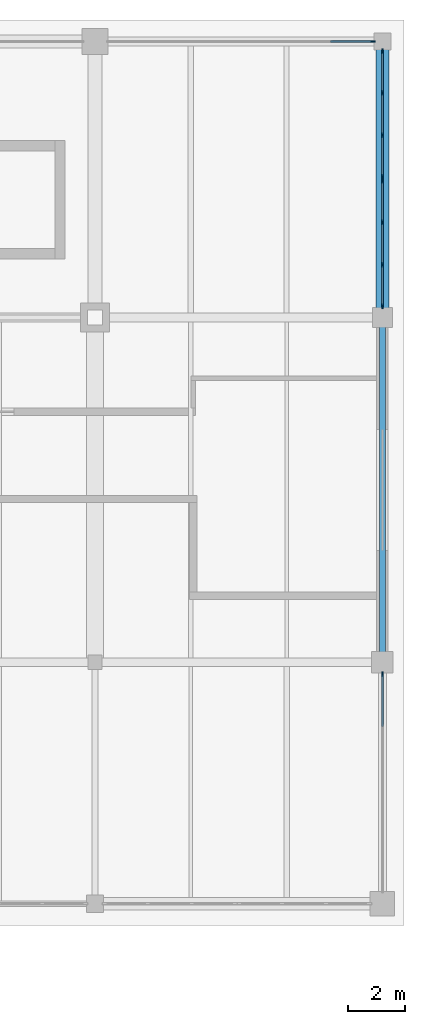
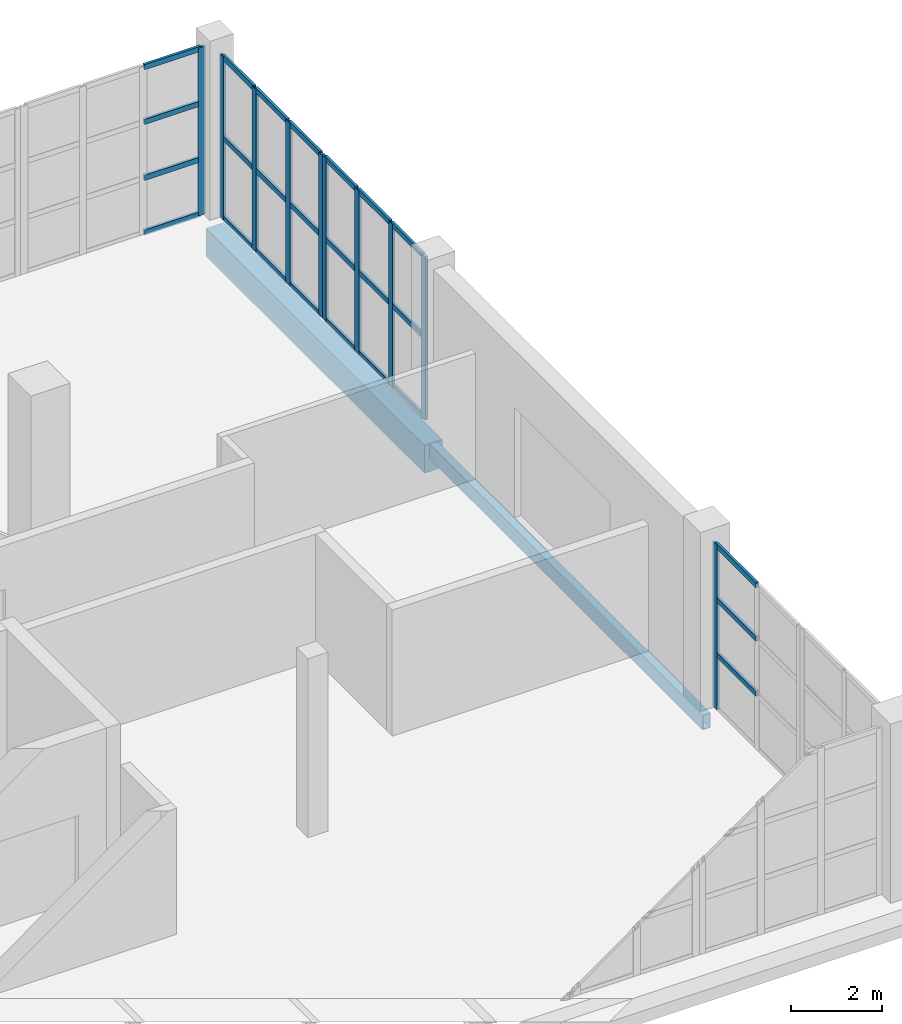
# One storey, part 71 of 121: 35 members, 2 beams, 4 elements without a shape of their own.
"""IFC4 building model written with IfcOpenShell, lengths in metres."""

from ifc_helpers import new_model, si_unit, direction, frame, origin, origin_2d, place, context, subcontext, project, spatial, rectangle, hollow_rectangle, extrude, material, layer, layer_set, material_profile, profile_set, type_object, element, aggregate, save


model = new_model("IFC4")

# Units and contexts
model_context = context("Model", 3, precision=1e-05, world=origin(), true_north=direction((0.0, 1.0)))
body_context = subcontext(model_context, "Body", "Model", "MODEL_VIEW")
ifc_project = project(units=[si_unit("LENGTHUNIT", "METRE"), si_unit("AREAUNIT", "SQUARE_METRE"), si_unit("VOLUMEUNIT", "CUBIC_METRE"), si_unit("PLANEANGLEUNIT", "RADIAN"), si_unit("MASSUNIT", "GRAM", prefix="KILO")], contexts=[model_context])

# Site, building, storey
site_placement = place(None, origin())
site = spatial("IfcSite", under=ifc_project, at=site_placement, CompositionType="ELEMENT")
building_placement = place(site_placement, origin())
building = spatial("IfcBuilding", under=site, at=building_placement, Name="Zereglee Splitstone Museum", CompositionType="ELEMENT")
storey_placement = place(building_placement, origin())
storey = spatial("IfcBuildingStorey", under=building, at=storey_placement, Name="L00", CompositionType="ELEMENT", Elevation=0.0)

# Curtain wall, member
ifc_material_1 = material(Name="Triple-glazed low-E argon glass and bronze-anodised aluminium", Category="aluminium")
ifc_layer_1 = layer(ifc_material_1, 0.179931640625)
ifc_layer_set_1 = layer_set([ifc_layer_1], Name="Triple-glazed low-E argon glass and bronze-anodised aluminium")
curtain_wall_type_1 = type_object("IfcCurtainWallType", Name="CW-0375-442", PredefinedType="USERDEFINED", material=ifc_layer_set_1)
curtain_wall_1_placement = place(storey_placement, origin())
curtain_wall_1 = element("IfcCurtainWall", 1, at=curtain_wall_1_placement, inside=storey, type_object=curtain_wall_type_1, Name="Glazed Curtain Wall CW-0375-442 (L00)", ObjectType="GLAZED CURTAIN WALL", PredefinedType="USERDEFINED")
ifc_material_2 = material(Name="Thermally broken bronze-anodised aluminium", Category="aluminium")
ifc_material_profile_1 = material_profile(ifc_material_2, rectangle(XDim=0.06494140625, YDim=0.179931640625, at=origin_2d()), Name="CW MULL 65x180")
ifc_profile_set_1 = profile_set([ifc_material_profile_1], Name="Thermally broken bronze-anodised aluminium")
member_type_1 = type_object("IfcMemberType", Name="CWM-01", PredefinedType="MULLION", material=ifc_profile_set_1)
member_1_placement = place(storey_placement, frame((326.0, 37.984619140625, 0.0), z_axis=(0.0, 0.0, 1.0), x_axis=(-1.0, 0.0, 0.0)))
member_1 = element("IfcMember", 2, at=member_1_placement, type_object=member_type_1, Name="CW-0375-442 mullion 3", PredefinedType="MULLION", context=body_context, shape_type="SweptSolid", body=[
    extrude(rectangle(XDim=0.06494140625, YDim=0.179931640625, at=origin_2d()), origin(), (0.0, 0.0, 1.0), 4.419921875),
])

# Curtain wall, members
ifc_layer_2 = layer(ifc_material_1, 0.179931640625)
ifc_layer_set_2 = layer_set([ifc_layer_2], Name="Triple-glazed low-E argon glass and bronze-anodised aluminium")
curtain_wall_type_2 = type_object("IfcCurtainWallType", Name="CW-0443-438", PredefinedType="USERDEFINED", material=ifc_layer_set_2)
curtain_wall_2_placement = place(storey_placement, origin())
curtain_wall_2 = element("IfcCurtainWall", 3, at=curtain_wall_2_placement, inside=storey, type_object=curtain_wall_type_2, Name="Glazed Curtain Wall CW-0443-438 (L00)", ObjectType="GLAZED CURTAIN WALL", PredefinedType="USERDEFINED")
member_2_placement = place(storey_placement, frame((326.0, 50.79052734375, 0.0), z_axis=(0.0, 0.0, 1.0), x_axis=(-1.0, 0.0, 0.0)))
member_2 = element("IfcMember", 4, at=member_2_placement, type_object=member_type_1, Name="CW-0443-438 mullion 1", PredefinedType="MULLION", context=body_context, shape_type="SweptSolid", body=[
    extrude(rectangle(XDim=0.06494140625, YDim=0.179931640625, at=origin_2d()), origin(), (0.0, 0.0, 1.0), 4.3798828125),
])
member_3_placement = place(storey_placement, frame((326.0, 52.233642578125, 0.0), z_axis=(0.0, 0.0, 1.0), x_axis=(-1.0, 0.0, 0.0)))
member_3 = element("IfcMember", 5, at=member_3_placement, type_object=member_type_1, Name="CW-0443-438 mullion 2", PredefinedType="MULLION", context=body_context, shape_type="SweptSolid", body=[
    extrude(rectangle(XDim=0.06494140625, YDim=0.179931640625, at=origin_2d()), origin(), (0.0, 0.0, 1.0), 4.3798828125),
])
member_4_placement = place(storey_placement, frame((326.0, 53.709228515625, 0.0), z_axis=(0.0, 0.0, 1.0), x_axis=(-1.0, 0.0, 0.0)))
member_4 = element("IfcMember", 6, at=member_4_placement, type_object=member_type_1, Name="CW-0443-438 mullion 3", PredefinedType="MULLION", context=body_context, shape_type="SweptSolid", body=[
    extrude(rectangle(XDim=0.06494140625, YDim=0.179931640625, at=origin_2d()), origin(), (0.0, 0.0, 1.0), 4.3798828125),
])
member_5_placement = place(storey_placement, frame((326.0, 55.152587890625, 0.0), z_axis=(0.0, 0.0, 1.0), x_axis=(-1.0, 0.0, 0.0)))
member_5 = element("IfcMember", 7, at=member_5_placement, type_object=member_type_1, Name="CW-0443-438 mullion 4", PredefinedType="MULLION", context=body_context, shape_type="SweptSolid", body=[
    extrude(rectangle(XDim=0.06494140625, YDim=0.179931640625, at=origin_2d()), origin(), (0.0, 0.0, 1.0), 4.3798828125),
])

ifc_layer_3 = layer(ifc_material_1, 0.179931640625)
ifc_layer_set_3 = layer_set([ifc_layer_3], Name="Triple-glazed low-E argon glass and bronze-anodised aluminium")
curtain_wall_type_3 = type_object("IfcCurtainWallType", Name="CW-0443-436", PredefinedType="USERDEFINED", material=ifc_layer_set_3)
curtain_wall_3_placement = place(storey_placement, origin())
curtain_wall_3 = element("IfcCurtainWall", 8, at=curtain_wall_3_placement, inside=storey, type_object=curtain_wall_type_3, Name="Glazed Curtain Wall CW-0443-436 (L00)", ObjectType="GLAZED CURTAIN WALL", PredefinedType="USERDEFINED")
member_6_placement = place(storey_placement, frame((326.0, 55.297607421875, 0.0), z_axis=(0.0, 0.0, 1.0), x_axis=(-1.0, 0.0, 0.0)))
member_6 = element("IfcMember", 9, at=member_6_placement, type_object=member_type_1, Name="CW-0443-436 mullion 1", PredefinedType="MULLION", context=body_context, shape_type="SweptSolid", body=[
    extrude(rectangle(XDim=0.06494140625, YDim=0.179931640625, at=origin_2d()), origin(), (0.0, 0.0, 1.0), 4.360107421875),
])
member_7_placement = place(storey_placement, frame((326.0, 56.74072265625, 0.0), z_axis=(0.0, 0.0, 1.0), x_axis=(-1.0, 0.0, 0.0)))
member_7 = element("IfcMember", 10, at=member_7_placement, type_object=member_type_1, Name="CW-0443-436 mullion 2", PredefinedType="MULLION", context=body_context, shape_type="SweptSolid", body=[
    extrude(rectangle(XDim=0.06494140625, YDim=0.179931640625, at=origin_2d()), origin(), (0.0, 0.0, 1.0), 4.360107421875),
])
member_8_placement = place(storey_placement, frame((326.0, 58.21630859375, 0.0), z_axis=(0.0, 0.0, 1.0), x_axis=(-1.0, 0.0, 0.0)))
member_8 = element("IfcMember", 11, at=member_8_placement, type_object=member_type_1, Name="CW-0443-436 mullion 3", PredefinedType="MULLION", context=body_context, shape_type="SweptSolid", body=[
    extrude(rectangle(XDim=0.06494140625, YDim=0.179931640625, at=origin_2d()), origin(), (0.0, 0.0, 1.0), 4.360107421875),
])
member_9_placement = place(storey_placement, frame((326.0, 59.659423828125, 0.0), z_axis=(0.0, 0.0, 1.0), x_axis=(-1.0, 0.0, 0.0)))
member_9 = element("IfcMember", 12, at=member_9_placement, type_object=member_type_1, Name="CW-0443-436 mullion 4", PredefinedType="MULLION", context=body_context, shape_type="SweptSolid", body=[
    extrude(rectangle(XDim=0.06494140625, YDim=0.179931640625, at=origin_2d()), origin(), (0.0, 0.0, 1.0), 4.360107421875),
])

# Curtain wall, member
ifc_layer_4 = layer(ifc_material_1, 0.179931640625)
ifc_layer_set_4 = layer_set([ifc_layer_4], Name="Triple-glazed low-E argon glass and bronze-anodised aluminium")
curtain_wall_type_4 = type_object("IfcCurtainWallType", Name="CW-0458-450", PredefinedType="USERDEFINED", material=ifc_layer_set_4)
curtain_wall_4_placement = place(storey_placement, origin())
curtain_wall_4 = element("IfcCurtainWall", 13, at=curtain_wall_4_placement, inside=storey, type_object=curtain_wall_type_4, Name="Glazed Curtain Wall CW-0458-450 (L00)", ObjectType="GLAZED CURTAIN WALL", PredefinedType="USERDEFINED")
member_10_placement = place(storey_placement, frame((325.659423828125, 60.0, 0.0), z_axis=(0.0, 0.0, 1.0), x_axis=(0.0, -1.0, 0.0)))
member_10 = element("IfcMember", 14, at=member_10_placement, type_object=member_type_1, Name="CW-0458-450 mullion 1", PredefinedType="MULLION", context=body_context, shape_type="SweptSolid", body=[
    extrude(rectangle(XDim=0.06494140625, YDim=0.179931640625, at=origin_2d()), origin(), (0.0, 0.0, 1.0), 4.5),
])

# Member
ifc_material_profile_2 = material_profile(ifc_material_2, rectangle(XDim=0.06494140625, YDim=0.139892578125, at=origin_2d()), Name="CW TRAN 65x140")
ifc_profile_set_2 = profile_set([ifc_material_profile_2], Name="Thermally broken bronze-anodised aluminium")
member_type_2 = type_object("IfcMemberType", Name="CWT-01", PredefinedType="USERDEFINED", material=ifc_profile_set_2)
member_11_placement = place(storey_placement, frame((326.0, 36.173583984375, 1.473388671875), z_axis=(0.0, 1.0, 0.0), x_axis=(-1.0, 0.0, 0.0)))
member_11 = element("IfcMember", 15, at=member_11_placement, type_object=member_type_2, Name="CW-0375-442 transom 2.2", ObjectType="TRANSOM", PredefinedType="USERDEFINED", context=body_context, shape_type="SweptSolid", body=[
    extrude(rectangle(XDim=0.06494140625, YDim=0.139892578125, at=origin_2d()), origin(), (0.0, 0.0, 1.0), 1.7783203125),
])

member_12_placement = place(storey_placement, frame((326.0, 36.173583984375, 2.94677734375), z_axis=(0.0, 1.0, 0.0), x_axis=(-1.0, 0.0, 0.0)))
member_12 = element("IfcMember", 16, at=member_12_placement, type_object=member_type_2, Name="CW-0375-442 transom 2.3", ObjectType="TRANSOM", PredefinedType="USERDEFINED", context=body_context, shape_type="SweptSolid", body=[
    extrude(rectangle(XDim=0.06494140625, YDim=0.139892578125, at=origin_2d()), origin(), (0.0, 0.0, 1.0), 1.7783203125),
])

member_13_placement = place(storey_placement, frame((326.0, 36.173583984375, 4.387451171875), z_axis=(0.0, 1.0, 0.0), x_axis=(-1.0, 0.0, 0.0)))
member_13 = element("IfcMember", 17, at=member_13_placement, type_object=member_type_2, Name="CW-0375-442 transom 2.4", ObjectType="TRANSOM", PredefinedType="USERDEFINED", context=body_context, shape_type="SweptSolid", body=[
    extrude(rectangle(XDim=0.06494140625, YDim=0.139892578125, at=origin_2d()), origin(), (0.0, 0.0, 1.0), 1.7783203125),
])

aggregate(curtain_wall_1, [member_1, member_11, member_12, member_13])

member_14_placement = place(storey_placement, frame((326.0, 50.822998046875, 0.032470703125), z_axis=(0.0, 1.0, 0.0), x_axis=(-1.0, 0.0, 0.0)))
member_14 = element("IfcMember", 18, at=member_14_placement, type_object=member_type_2, Name="CW-0443-438 transom 1.1", ObjectType="TRANSOM", PredefinedType="USERDEFINED", context=body_context, shape_type="SweptSolid", body=[
    extrude(rectangle(XDim=0.06494140625, YDim=0.139892578125, at=origin_2d()), origin(), (0.0, 0.0, 1.0), 1.378173828125),
])

member_15_placement = place(storey_placement, frame((326.0, 50.822998046875, 2.18994140625), z_axis=(0.0, 1.0, 0.0), x_axis=(-1.0, 0.0, 0.0)))
member_15 = element("IfcMember", 19, at=member_15_placement, type_object=member_type_2, Name="CW-0443-438 transom 1.2", ObjectType="TRANSOM", PredefinedType="USERDEFINED", context=body_context, shape_type="SweptSolid", body=[
    extrude(rectangle(XDim=0.06494140625, YDim=0.139892578125, at=origin_2d()), origin(), (0.0, 0.0, 1.0), 1.378173828125),
])

member_16_placement = place(storey_placement, frame((326.0, 50.822998046875, 4.347412109375), z_axis=(0.0, 1.0, 0.0), x_axis=(-1.0, 0.0, 0.0)))
member_16 = element("IfcMember", 20, at=member_16_placement, type_object=member_type_2, Name="CW-0443-438 transom 1.3", ObjectType="TRANSOM", PredefinedType="USERDEFINED", context=body_context, shape_type="SweptSolid", body=[
    extrude(rectangle(XDim=0.06494140625, YDim=0.139892578125, at=origin_2d()), origin(), (0.0, 0.0, 1.0), 1.378173828125),
])

member_17_placement = place(storey_placement, frame((326.0, 52.26611328125, 0.032470703125), z_axis=(0.0, 1.0, 0.0), x_axis=(-1.0, 0.0, 0.0)))
member_17 = element("IfcMember", 21, at=member_17_placement, type_object=member_type_2, Name="CW-0443-438 transom 2.1", ObjectType="TRANSOM", PredefinedType="USERDEFINED", context=body_context, shape_type="SweptSolid", body=[
    extrude(rectangle(XDim=0.06494140625, YDim=0.139892578125, at=origin_2d()), origin(), (0.0, 0.0, 1.0), 1.41064453125),
])

member_18_placement = place(storey_placement, frame((326.0, 52.26611328125, 2.18994140625), z_axis=(0.0, 1.0, 0.0), x_axis=(-1.0, 0.0, 0.0)))
member_18 = element("IfcMember", 22, at=member_18_placement, type_object=member_type_2, Name="CW-0443-438 transom 2.2", ObjectType="TRANSOM", PredefinedType="USERDEFINED", context=body_context, shape_type="SweptSolid", body=[
    extrude(rectangle(XDim=0.06494140625, YDim=0.139892578125, at=origin_2d()), origin(), (0.0, 0.0, 1.0), 1.41064453125),
])

member_19_placement = place(storey_placement, frame((326.0, 52.26611328125, 4.347412109375), z_axis=(0.0, 1.0, 0.0), x_axis=(-1.0, 0.0, 0.0)))
member_19 = element("IfcMember", 23, at=member_19_placement, type_object=member_type_2, Name="CW-0443-438 transom 2.3", ObjectType="TRANSOM", PredefinedType="USERDEFINED", context=body_context, shape_type="SweptSolid", body=[
    extrude(rectangle(XDim=0.06494140625, YDim=0.139892578125, at=origin_2d()), origin(), (0.0, 0.0, 1.0), 1.41064453125),
])

member_20_placement = place(storey_placement, frame((326.0, 53.741943359375, 0.032470703125), z_axis=(0.0, 1.0, 0.0), x_axis=(-1.0, 0.0, 0.0)))
member_20 = element("IfcMember", 24, at=member_20_placement, type_object=member_type_2, Name="CW-0443-438 transom 3.1", ObjectType="TRANSOM", PredefinedType="USERDEFINED", context=body_context, shape_type="SweptSolid", body=[
    extrude(rectangle(XDim=0.06494140625, YDim=0.139892578125, at=origin_2d()), origin(), (0.0, 0.0, 1.0), 1.378173828125),
])

member_21_placement = place(storey_placement, frame((326.0, 53.741943359375, 2.18994140625), z_axis=(0.0, 1.0, 0.0), x_axis=(-1.0, 0.0, 0.0)))
member_21 = element("IfcMember", 25, at=member_21_placement, type_object=member_type_2, Name="CW-0443-438 transom 3.2", ObjectType="TRANSOM", PredefinedType="USERDEFINED", context=body_context, shape_type="SweptSolid", body=[
    extrude(rectangle(XDim=0.06494140625, YDim=0.139892578125, at=origin_2d()), origin(), (0.0, 0.0, 1.0), 1.378173828125),
])

member_22_placement = place(storey_placement, frame((326.0, 53.741943359375, 4.347412109375), z_axis=(0.0, 1.0, 0.0), x_axis=(-1.0, 0.0, 0.0)))
member_22 = element("IfcMember", 26, at=member_22_placement, type_object=member_type_2, Name="CW-0443-438 transom 3.3", ObjectType="TRANSOM", PredefinedType="USERDEFINED", context=body_context, shape_type="SweptSolid", body=[
    extrude(rectangle(XDim=0.06494140625, YDim=0.139892578125, at=origin_2d()), origin(), (0.0, 0.0, 1.0), 1.378173828125),
])

aggregate(curtain_wall_2, [member_2, member_3, member_4, member_5, member_14, member_15, member_16, member_17, member_18, member_19, member_20, member_21, member_22])

member_23_placement = place(storey_placement, frame((326.0, 55.330078125, 0.032470703125), z_axis=(0.0, 1.0, 0.0), x_axis=(-1.0, 0.0, 0.0)))
member_23 = element("IfcMember", 27, at=member_23_placement, type_object=member_type_2, Name="CW-0443-436 transom 1.1", ObjectType="TRANSOM", PredefinedType="USERDEFINED", context=body_context, shape_type="SweptSolid", body=[
    extrude(rectangle(XDim=0.06494140625, YDim=0.139892578125, at=origin_2d()), origin(), (0.0, 0.0, 1.0), 1.378173828125),
])

member_24_placement = place(storey_placement, frame((326.0, 55.330078125, 2.179931640625), z_axis=(0.0, 1.0, 0.0), x_axis=(-1.0, 0.0, 0.0)))
member_24 = element("IfcMember", 28, at=member_24_placement, type_object=member_type_2, Name="CW-0443-436 transom 1.2", ObjectType="TRANSOM", PredefinedType="USERDEFINED", context=body_context, shape_type="SweptSolid", body=[
    extrude(rectangle(XDim=0.06494140625, YDim=0.139892578125, at=origin_2d()), origin(), (0.0, 0.0, 1.0), 1.378173828125),
])

member_25_placement = place(storey_placement, frame((326.0, 55.330078125, 4.327392578125), z_axis=(0.0, 1.0, 0.0), x_axis=(-1.0, 0.0, 0.0)))
member_25 = element("IfcMember", 29, at=member_25_placement, type_object=member_type_2, Name="CW-0443-436 transom 1.3", ObjectType="TRANSOM", PredefinedType="USERDEFINED", context=body_context, shape_type="SweptSolid", body=[
    extrude(rectangle(XDim=0.06494140625, YDim=0.139892578125, at=origin_2d()), origin(), (0.0, 0.0, 1.0), 1.378173828125),
])

member_26_placement = place(storey_placement, frame((326.0, 56.773193359375, 0.032470703125), z_axis=(0.0, 1.0, 0.0), x_axis=(-1.0, 0.0, 0.0)))
member_26 = element("IfcMember", 30, at=member_26_placement, type_object=member_type_2, Name="CW-0443-436 transom 2.1", ObjectType="TRANSOM", PredefinedType="USERDEFINED", context=body_context, shape_type="SweptSolid", body=[
    extrude(rectangle(XDim=0.06494140625, YDim=0.139892578125, at=origin_2d()), origin(), (0.0, 0.0, 1.0), 1.41064453125),
])

member_27_placement = place(storey_placement, frame((326.0, 56.773193359375, 2.179931640625), z_axis=(0.0, 1.0, 0.0), x_axis=(-1.0, 0.0, 0.0)))
member_27 = element("IfcMember", 31, at=member_27_placement, type_object=member_type_2, Name="CW-0443-436 transom 2.2", ObjectType="TRANSOM", PredefinedType="USERDEFINED", context=body_context, shape_type="SweptSolid", body=[
    extrude(rectangle(XDim=0.06494140625, YDim=0.139892578125, at=origin_2d()), origin(), (0.0, 0.0, 1.0), 1.41064453125),
])

member_28_placement = place(storey_placement, frame((326.0, 56.773193359375, 4.327392578125), z_axis=(0.0, 1.0, 0.0), x_axis=(-1.0, 0.0, 0.0)))
member_28 = element("IfcMember", 32, at=member_28_placement, type_object=member_type_2, Name="CW-0443-436 transom 2.3", ObjectType="TRANSOM", PredefinedType="USERDEFINED", context=body_context, shape_type="SweptSolid", body=[
    extrude(rectangle(XDim=0.06494140625, YDim=0.139892578125, at=origin_2d()), origin(), (0.0, 0.0, 1.0), 1.41064453125),
])

member_29_placement = place(storey_placement, frame((326.0, 58.248779296875, 0.032470703125), z_axis=(0.0, 1.0, 0.0), x_axis=(-1.0, 0.0, 0.0)))
member_29 = element("IfcMember", 33, at=member_29_placement, type_object=member_type_2, Name="CW-0443-436 transom 3.1", ObjectType="TRANSOM", PredefinedType="USERDEFINED", context=body_context, shape_type="SweptSolid", body=[
    extrude(rectangle(XDim=0.06494140625, YDim=0.139892578125, at=origin_2d()), origin(), (0.0, 0.0, 1.0), 1.378173828125),
])

member_30_placement = place(storey_placement, frame((326.0, 58.248779296875, 2.179931640625), z_axis=(0.0, 1.0, 0.0), x_axis=(-1.0, 0.0, 0.0)))
member_30 = element("IfcMember", 34, at=member_30_placement, type_object=member_type_2, Name="CW-0443-436 transom 3.2", ObjectType="TRANSOM", PredefinedType="USERDEFINED", context=body_context, shape_type="SweptSolid", body=[
    extrude(rectangle(XDim=0.06494140625, YDim=0.139892578125, at=origin_2d()), origin(), (0.0, 0.0, 1.0), 1.378173828125),
])

member_31_placement = place(storey_placement, frame((326.0, 58.248779296875, 4.327392578125), z_axis=(0.0, 1.0, 0.0), x_axis=(-1.0, 0.0, 0.0)))
member_31 = element("IfcMember", 35, at=member_31_placement, type_object=member_type_2, Name="CW-0443-436 transom 3.3", ObjectType="TRANSOM", PredefinedType="USERDEFINED", context=body_context, shape_type="SweptSolid", body=[
    extrude(rectangle(XDim=0.06494140625, YDim=0.139892578125, at=origin_2d()), origin(), (0.0, 0.0, 1.0), 1.378173828125),
])

aggregate(curtain_wall_3, [member_6, member_7, member_8, member_9, member_23, member_24, member_25, member_26, member_27, member_28, member_29, member_30, member_31])

member_32_placement = place(storey_placement, frame((325.626953125, 60.0, 0.032470703125), z_axis=(-1.0, 0.0, 0.0), x_axis=(0.0, -1.0, 0.0)))
member_32 = element("IfcMember", 36, at=member_32_placement, type_object=member_type_2, Name="CW-0458-450 transom 1.1", ObjectType="TRANSOM", PredefinedType="USERDEFINED", context=body_context, shape_type="SweptSolid", body=[
    extrude(rectangle(XDim=0.06494140625, YDim=0.139892578125, at=origin_2d()), origin(), (0.0, 0.0, 1.0), 1.42822265625),
])

member_33_placement = place(storey_placement, frame((325.626953125, 60.0, 1.5), z_axis=(-1.0, 0.0, 0.0), x_axis=(0.0, -1.0, 0.0)))
member_33 = element("IfcMember", 37, at=member_33_placement, type_object=member_type_2, Name="CW-0458-450 transom 1.2", ObjectType="TRANSOM", PredefinedType="USERDEFINED", context=body_context, shape_type="SweptSolid", body=[
    extrude(rectangle(XDim=0.06494140625, YDim=0.139892578125, at=origin_2d()), origin(), (0.0, 0.0, 1.0), 1.42822265625),
])

member_34_placement = place(storey_placement, frame((325.626953125, 60.0, 3.0), z_axis=(-1.0, 0.0, 0.0), x_axis=(0.0, -1.0, 0.0)))
member_34 = element("IfcMember", 38, at=member_34_placement, type_object=member_type_2, Name="CW-0458-450 transom 1.3", ObjectType="TRANSOM", PredefinedType="USERDEFINED", context=body_context, shape_type="SweptSolid", body=[
    extrude(rectangle(XDim=0.06494140625, YDim=0.139892578125, at=origin_2d()), origin(), (0.0, 0.0, 1.0), 1.42822265625),
])

member_35_placement = place(storey_placement, frame((325.626953125, 60.0, 4.467529296875), z_axis=(-1.0, 0.0, 0.0), x_axis=(0.0, -1.0, 0.0)))
member_35 = element("IfcMember", 39, at=member_35_placement, type_object=member_type_2, Name="CW-0458-450 transom 1.4", ObjectType="TRANSOM", PredefinedType="USERDEFINED", context=body_context, shape_type="SweptSolid", body=[
    extrude(rectangle(XDim=0.06494140625, YDim=0.139892578125, at=origin_2d()), origin(), (0.0, 0.0, 1.0), 1.42822265625),
])

aggregate(curtain_wall_4, [member_10, member_32, member_33, member_34, member_35])

# Beams
ifc_material_3 = material(Name="Concrete C40/50", Category="concrete")
ifc_material_profile_3 = material_profile(ifc_material_3, rectangle(XDim=0.449951171875, YDim=0.75, at=origin_2d()), Name="RC 450x750")
ifc_profile_set_3 = profile_set([ifc_material_profile_3], Name="Concrete C40/50")
beam_type_1 = type_object("IfcBeamType", Name="SP-01", PredefinedType="SPANDREL", material=ifc_profile_set_3)
beam_1_placement = place(storey_placement, frame((326.0, 50.39990234375, -0.794921875), z_axis=(0.0, 1.0, 0.0), x_axis=(-1.0, 0.0, 0.0)))
element("IfcBeam", 40, at=beam_1_placement, inside=storey, type_object=beam_type_1, Name="Primary Girder L00 36 (50.4-60.0)", PredefinedType="SPANDREL", context=body_context, shape_type="SweptSolid", body=[
    extrude(rectangle(XDim=0.449951171875, YDim=0.75, at=origin_2d()), origin(), (0.0, 0.0, 1.0), 9.60009765625),
])
ifc_material_4 = material(Name="Steel S355J2H", Category="steel")
ifc_material_profile_4 = material_profile(ifc_material_4, hollow_rectangle(XDim=0.199951171875, YDim=0.39990234375, WallThickness=0.01611328125, at=origin_2d()), Name="RHS 400x200x16")
ifc_profile_set_4 = profile_set([ifc_material_profile_4], Name="Steel S355J2H")
beam_type_2 = type_object("IfcBeamType", Name="SP-04", PredefinedType="SPANDREL", material=ifc_profile_set_4)
beam_2_placement = place(storey_placement, frame((326.0, 38.39990234375, -0.6201171875), z_axis=(0.0, 1.0, 0.0), x_axis=(-1.0, 0.0, 0.0)))
element("IfcBeam", 41, at=beam_2_placement, inside=storey, type_object=beam_type_2, Name="Primary Girder L00 36 (38.4-50.4)", PredefinedType="SPANDREL", context=body_context, shape_type="SweptSolid", body=[
    extrude(hollow_rectangle(XDim=0.199951171875, YDim=0.39990234375, WallThickness=0.01611328125, at=origin_2d()), origin(), (0.0, 0.0, 1.0), 12.0),
])

save(model, "model.ifc")
